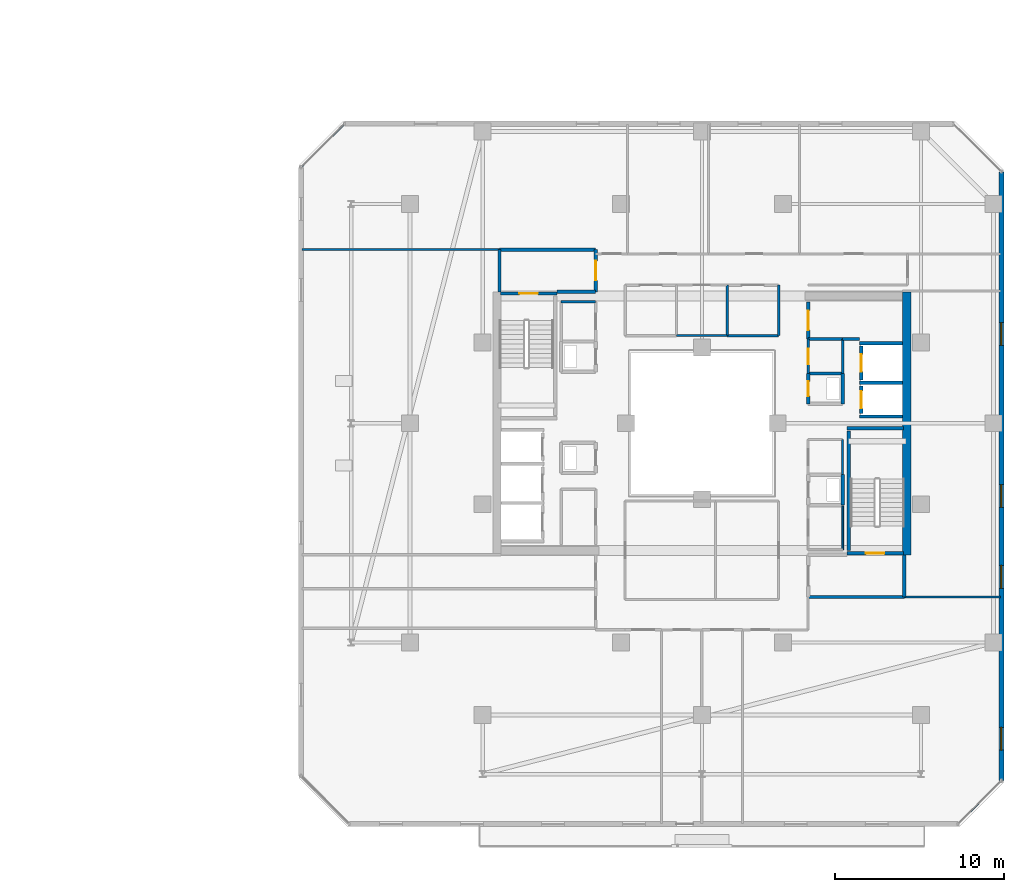
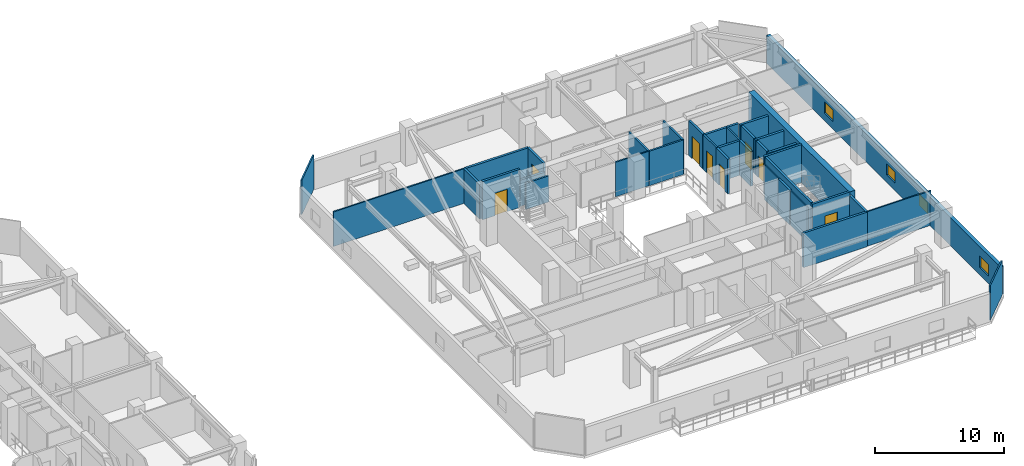
# One storey, part 25 of 33: 37 walls, 8 doors, 4 windows, 12 openings.
"""IFC4 building model written with IfcOpenShell, lengths in metres."""

from ifc_helpers import new_model, si_unit, direction, frame, frame_2d, origin, place, context, subcontext, project, spatial, rectangle, extrude, material, layer, layer_set, type_object, element, fill, save


model = new_model("IFC4")

# Units and contexts
model_context = context("Model", 3, precision=1e-05, world=origin(), true_north=direction((0.0, 1.0)))
body_context = subcontext(model_context, "Body", "Model", "MODEL_VIEW")
ifc_project = project(units=[si_unit("LENGTHUNIT", "METRE"), si_unit("AREAUNIT", "SQUARE_METRE"), si_unit("VOLUMEUNIT", "CUBIC_METRE"), si_unit("PLANEANGLEUNIT", "RADIAN"), si_unit("MASSUNIT", "GRAM", prefix="KILO")], contexts=[model_context])

# Site, building, storey
site_placement = place(None, origin())
site = spatial("IfcSite", under=ifc_project, at=site_placement, CompositionType="ELEMENT")
building_placement = place(site_placement, origin())
building = spatial("IfcBuilding", under=site, at=building_placement, Name="Thornwick Lancets Civic Towers", CompositionType="ELEMENT")
storey_placement = place(building_placement, frame((0.0, 0.0, 218.10009765625)))
storey = spatial("IfcBuildingStorey", under=building, at=storey_placement, Name="L58", CompositionType="ELEMENT", Elevation=218.10009765625)

# Wall, opening, door
ifc_material_1 = material(Name="Concrete blockwork C40/50", Category="masonry")
ifc_layer_1 = layer(ifc_material_1, 0.199951171875, Name="Concrete blockwork C40/50")
ifc_layer_set_1 = layer_set([ifc_layer_1], Name="Concrete blockwork C40/50")
wall_type_1 = type_object("IfcWallType", Name="WALL_COMP_200", PredefinedType="STANDARD", material=ifc_layer_set_1)
wall_1_placement = place(storey_placement, frame((97.949951171875, 29.219970703125, 0.0), z_axis=(0.0, 0.0, 1.0), x_axis=(0.0, -1.0, 0.0)))
wall_1 = element("IfcWall", 1, at=wall_1_placement, inside=storey, type_object=wall_type_1, Name="L58 Hoistway Front Wall FL-B1", PredefinedType="STANDARD", context=body_context, shape_type="SweptSolid", body=[
    extrude(rectangle(XDim=1.639892578125, YDim=0.199951171875, at=frame_2d((0.81982421875, 0.0))), origin(), (0.0, 0.0, 1.0), 3.260009765625),
])
opening_1_placement = place(wall_1_placement, frame((0.31005859375, 0.0, 0.0)))
opening_1 = element("IfcOpeningElement", 2, at=opening_1_placement, cuts=wall_1, Name="Opening LD-FL-B1", PredefinedType="OPENING", context=body_context, shape_type="SweptSolid", body=[
    extrude(rectangle(XDim=1.02001953125, YDim=2.06005859375, at=frame_2d((0.510009765625, 1.030029296875))), frame((0.0, 0.10986328125, 0.0), z_axis=(0.0, -1.0, 0.0), x_axis=(1.0, 0.0, 0.0)), (0.0, 0.0, 1.0), 0.219970703125),
])
ifc_material_2 = material(Name="Brushed bronze stainless steel", Category="steel")
door_type_1 = type_object("IfcDoorType", Name="DOOR_LIFT_SLIDE", OperationType="SLIDING_TO_LEFT", PredefinedType="DOOR", material=ifc_material_2)
door_1_placement = place(opening_1_placement, origin())
door_1 = element("IfcDoor", 3, at=door_1_placement, inside=storey, type_object=door_type_1, Name="L58 Sliding Lift Landing Door LD-FL-B1", OperationType="SLIDING_TO_LEFT", OverallHeight=2.06005859375, OverallWidth=1.02001953125, PredefinedType="DOOR", context=body_context, shape_type="SweptSolid", body=[
    extrude(rectangle(XDim=1.02001953125, YDim=2.06005859375, at=frame_2d((0.510009765625, 1.030029296875))), frame((0.0, 0.02490234375, 0.0), z_axis=(0.0, -1.0, 0.0), x_axis=(1.0, 0.0, 0.0)), (0.0, 0.0, 1.0), 0.050048828125),
])
fill(opening_1, door_1)

wall_2_placement = place(storey_placement, frame((97.949951171875, 31.570068359375, 0.0), z_axis=(0.0, 0.0, 1.0), x_axis=(0.0, -1.0, 0.0)))
wall_2 = element("IfcWall", 4, at=wall_2_placement, inside=storey, type_object=wall_type_1, Name="L58 Hoistway Front Wall PL-BH1", PredefinedType="STANDARD", context=body_context, shape_type="SweptSolid", body=[
    extrude(rectangle(XDim=1.989990234375, YDim=0.199951171875, at=frame_2d((0.9951171875, 0.0))), origin(), (0.0, 0.0, 1.0), 3.260009765625),
])
opening_2_placement = place(wall_2_placement, frame((0.485107421875, 0.0, 0.0)))
opening_2 = element("IfcOpeningElement", 5, at=opening_2_placement, cuts=wall_2, Name="Opening LD-PL-BH1", PredefinedType="OPENING", context=body_context, shape_type="SweptSolid", body=[
    extrude(rectangle(XDim=1.02001953125, YDim=2.06005859375, at=frame_2d((0.510009765625, 1.030029296875))), frame((0.0, 0.10986328125, 0.0), z_axis=(0.0, -1.0, 0.0), x_axis=(1.0, 0.0, 0.0)), (0.0, 0.0, 1.0), 0.219970703125),
])
door_2_placement = place(opening_2_placement, origin())
door_2 = element("IfcDoor", 6, at=door_2_placement, inside=storey, type_object=door_type_1, Name="L58 Sliding Lift Landing Door LD-PL-BH1", OperationType="SLIDING_TO_LEFT", OverallHeight=2.06005859375, OverallWidth=1.02001953125, PredefinedType="DOOR", context=body_context, shape_type="SweptSolid", body=[
    extrude(rectangle(XDim=1.02001953125, YDim=2.06005859375, at=frame_2d((0.510009765625, 1.030029296875))), frame((0.0, 0.02490234375, 0.0), z_axis=(0.0, -1.0, 0.0), x_axis=(1.0, 0.0, 0.0)), (0.0, 0.0, 1.0), 0.050048828125),
])
fill(opening_2, door_2)

# Walls
for number, where, z_axis, x_axis, name in (
    (7, (97.85205078125, 29.39990234375, 0.0), (0.0, 0.0, 1.0), (1.0, 0.0, 0.0), "L58 Hoistway Shaft Wall FL-B1 N"),
    (8, (97.85205078125, 27.39990234375, 0.0), (0.0, 0.0, 1.0), (1.0, 0.0, 0.0), "L58 Hoistway Shaft Wall FL-B1 S"),
    (9, (97.85205078125, 31.75, 0.0), (0.0, 0.0, 1.0), (1.0, 0.0, 0.0), "L58 Hoistway Shaft Wall PL-BH1 N"),
):
    element("IfcWall", number, at=place(storey_placement, frame(where, z_axis=z_axis, x_axis=x_axis)), inside=storey, type_object=wall_type_1, Name=name, PredefinedType="STANDARD", context=body_context, shape_type="SweptSolid", body=[
        extrude(rectangle(XDim=2.535888671875, YDim=0.199951171875, at=frame_2d((1.26806640625, 0.0))), origin(), (0.0, 0.0, 1.0), 3.260009765625),
    ])
wall_3_placement = place(storey_placement, frame((94.800048828125, 16.699951171875, 0.0), z_axis=(0.0, 0.0, 1.0), x_axis=(1.0, 0.0, 0.0)))
element("IfcWall", 10, at=wall_3_placement, inside=storey, type_object=wall_type_1, Name="L58 Partition L58-B-FFLOB1 E1", PredefinedType="STANDARD", context=body_context, shape_type="SweptSolid", body=[
    extrude(rectangle(XDim=5.699951171875, YDim=0.199951171875, at=frame_2d((2.85009765625, 0.0))), origin(), (0.0, 0.0, 1.0), 3.260009765625),
])
wall_4_placement = place(storey_placement, frame((100.5, 16.699951171875, 0.0), z_axis=(0.0, 0.0, 1.0), x_axis=(0.0, 1.0, 0.0)))
element("IfcWall", 11, at=wall_4_placement, inside=storey, type_object=wall_type_1, Name="L58 Partition L58-B-FFLOB1 E2", PredefinedType="STANDARD", context=body_context, shape_type="SweptSolid", body=[
    extrude(rectangle(XDim=2.5, YDim=0.199951171875, at=frame_2d((1.25, 0.0))), origin(), (0.0, 0.0, 1.0), 3.260009765625),
])
wall_5_placement = place(storey_placement, frame((79.89990234375, 34.800048828125, 0.0), z_axis=(0.0, 0.0, 1.0), x_axis=(1.0, 0.0, 0.0)))
element("IfcWall", 12, at=wall_5_placement, inside=storey, type_object=wall_type_1, Name="L58 Partition L58-B-FFLOB2 E1", PredefinedType="STANDARD", context=body_context, shape_type="SweptSolid", body=[
    extrude(rectangle(XDim=2.300048828125, YDim=0.199951171875, at=frame_2d((1.14990234375, 0.0))), origin(), (0.0, 0.0, 1.0), 2.46484375),
])

# Wall, opening, door
wall_6_placement = place(storey_placement, frame((82.199951171875, 34.800048828125, 0.0), z_axis=(0.0, 0.0, 1.0), x_axis=(0.0, 1.0, 0.0)))
wall_6 = element("IfcWall", 13, at=wall_6_placement, inside=storey, type_object=wall_type_1, Name="L58 Partition L58-B-FFLOB2 E2", PredefinedType="STANDARD", context=body_context, shape_type="SweptSolid", body=[
    extrude(rectangle(XDim=2.5, YDim=0.199951171875, at=frame_2d((1.25, 0.0))), origin(), (0.0, 0.0, 1.0), 3.260009765625),
])
opening_3_placement = place(wall_6_placement, frame((0.675048828125, 0.0, 0.0)))
opening_3 = element("IfcOpeningElement", 14, at=opening_3_placement, cuts=wall_6, Name="Opening D-L58-2592", PredefinedType="OPENING", context=body_context, shape_type="SweptSolid", body=[
    extrude(rectangle(XDim=1.14990234375, YDim=2.10009765625, at=frame_2d((0.574951171875, 1.050048828125))), frame((0.0, 0.10986328125, 0.0), z_axis=(0.0, -1.0, 0.0), x_axis=(1.0, 0.0, 0.0)), (0.0, 0.0, 1.0), 0.219970703125),
])
ifc_material_3 = material(Name="Glazed fire-resisting steel", Category="steel")
door_type_2 = type_object("IfcDoorType", Name="DOOR_LOBBY_FD60", OperationType="NOTDEFINED", PredefinedType="DOOR", material=ifc_material_3)
door_3_placement = place(opening_3_placement, origin())
door_3 = element("IfcDoor", 15, at=door_3_placement, inside=storey, type_object=door_type_2, Name="L58 West Firefighting Lobby 2 Door", OperationType="SINGLE_SWING_LEFT", OverallHeight=2.10009765625, OverallWidth=1.14990234375, PredefinedType="DOOR", context=body_context, shape_type="SweptSolid", body=[
    extrude(rectangle(XDim=1.14990234375, YDim=2.10009765625, at=frame_2d((0.574951171875, 1.050048828125))), frame((0.0, 0.02490234375, 0.0), z_axis=(0.0, -1.0, 0.0), x_axis=(1.0, 0.0, 0.0)), (0.0, 0.0, 1.0), 0.050048828125),
])
fill(opening_3, door_3)

# Walls
wall_7_placement = place(storey_placement, frame((82.199951171875, 37.300048828125, 0.0), z_axis=(0.0, 0.0, 1.0), x_axis=(-1.0, 0.0, 0.0)))
element("IfcWall", 16, at=wall_7_placement, inside=storey, type_object=wall_type_1, Name="L58 Partition L58-B-FFLOB2 E3", PredefinedType="STANDARD", context=body_context, shape_type="SweptSolid", body=[
    extrude(rectangle(XDim=5.699951171875, YDim=0.199951171875, at=frame_2d((2.85009765625, 0.0))), origin(), (0.0, 0.0, 1.0), 3.260009765625),
])
wall_8_placement = place(storey_placement, frame((76.5, 37.300048828125, 0.0), z_axis=(0.0, 0.0, 1.0), x_axis=(0.0, -1.0, 0.0)))
element("IfcWall", 17, at=wall_8_placement, inside=storey, type_object=wall_type_1, Name="L58 Partition L58-B-FFLOB2 E4", PredefinedType="STANDARD", context=body_context, shape_type="SweptSolid", body=[
    extrude(rectangle(XDim=2.5, YDim=0.199951171875, at=frame_2d((1.25, 0.0))), origin(), (0.0, 0.0, 1.0), 3.260009765625),
])
wall_9_placement = place(storey_placement, frame((96.85009765625, 28.14990234375, 0.0), z_axis=(0.0, 0.0, 1.0), x_axis=(0.0, 1.0, 0.0)))
element("IfcWall", 18, at=wall_9_placement, inside=storey, type_object=wall_type_1, Name="L58 Partition L58-B-DUCT1 E2", PredefinedType="STANDARD", context=body_context, shape_type="SweptSolid", body=[
    extrude(rectangle(XDim=1.800048828125, YDim=0.199951171875, at=frame_2d((0.89990234375, 0.0))), origin(), (0.0, 0.0, 1.0), 3.260009765625),
])
wall_10_placement = place(storey_placement, frame((96.85009765625, 29.949951171875, 0.0), z_axis=(0.0, 0.0, 1.0), x_axis=(-1.0, 0.0, 0.0)))
element("IfcWall", 19, at=wall_10_placement, inside=storey, type_object=wall_type_1, Name="L58 Partition L58-B-DUCT1 E3", PredefinedType="STANDARD", context=body_context, shape_type="SweptSolid", body=[
    extrude(rectangle(XDim=2.050048828125, YDim=0.199951171875, at=frame_2d((1.02490234375, 0.0))), origin(), (0.0, 0.0, 1.0), 3.260009765625),
])

# Wall, opening, door
wall_11_placement = place(storey_placement, frame((94.800048828125, 29.949951171875, 0.0), z_axis=(0.0, 0.0, 1.0), x_axis=(0.0, -1.0, 0.0)))
wall_11 = element("IfcWall", 20, at=wall_11_placement, inside=storey, type_object=wall_type_1, Name="L58 Partition L58-B-DUCT1 E4", PredefinedType="STANDARD", context=body_context, shape_type="SweptSolid", body=[
    extrude(rectangle(XDim=1.800048828125, YDim=0.199951171875, at=frame_2d((0.89990234375, 0.0))), origin(), (0.0, 0.0, 1.0), 3.260009765625),
])
opening_4_placement = place(wall_11_placement, frame((0.4599609375, 0.0, 0.0)))
opening_4 = element("IfcOpeningElement", 21, at=opening_4_placement, cuts=wall_11, Name="Opening D-L58-2593", PredefinedType="OPENING", context=body_context, shape_type="SweptSolid", body=[
    extrude(rectangle(XDim=0.8798828125, YDim=2.0400390625, at=frame_2d((0.43994140625, 1.02001953125))), frame((0.0, 0.10986328125, 0.0), z_axis=(0.0, -1.0, 0.0), x_axis=(1.0, 0.0, 0.0)), (0.0, 0.0, 1.0), 0.219970703125),
])
ifc_material_4 = material(Name="Steel riser access doorset", Category="steel")
door_type_3 = type_object("IfcDoorType", Name="DOOR_RISER_850", OperationType="NOTDEFINED", PredefinedType="DOOR", material=ifc_material_4)
door_4_placement = place(opening_4_placement, origin())
door_4 = element("IfcDoor", 22, at=door_4_placement, inside=storey, type_object=door_type_3, Name="L58 East Service Duct 1 Door", OperationType="SINGLE_SWING_RIGHT", OverallHeight=2.0400390625, OverallWidth=0.8798828125, PredefinedType="DOOR", context=body_context, shape_type="SweptSolid", body=[
    extrude(rectangle(XDim=0.8798828125, YDim=2.0400390625, at=frame_2d((0.43994140625, 1.02001953125))), frame((0.0, 0.02490234375, 0.0), z_axis=(0.0, -1.0, 0.0), x_axis=(1.0, 0.0, 0.0)), (0.0, 0.0, 1.0), 0.050048828125),
])
fill(opening_4, door_4)

# Wall
wall_12_placement = place(storey_placement, frame((96.85009765625, 22.14990234375, 0.0), z_axis=(0.0, 0.0, 1.0), x_axis=(0.0, 1.0, 0.0)))
element("IfcWall", 23, at=wall_12_placement, inside=storey, type_object=wall_type_1, Name="L58 Partition L58-B-RISER1 E2", PredefinedType="STANDARD", context=body_context, shape_type="SweptSolid", body=[
    extrude(rectangle(XDim=1.800048828125, YDim=0.199951171875, at=frame_2d((0.89990234375, 0.0))), origin(), (0.0, 0.0, 1.0), 3.260009765625),
])

# Wall, opening, door
wall_13_placement = place(storey_placement, frame((94.800048828125, 32.0, 0.0), z_axis=(0.0, 0.0, 1.0), x_axis=(0.0, 1.0, 0.0)))
wall_13 = element("IfcWall", 24, at=wall_13_placement, inside=storey, type_object=wall_type_1, Name="L58 Partition L58-B-STR2 E1", PredefinedType="STANDARD", context=body_context, shape_type="SweptSolid", body=[
    extrude(rectangle(XDim=2.199951171875, YDim=0.199951171875, at=frame_2d((1.10009765625, 0.0))), origin(), (0.0, 0.0, 1.0), 3.260009765625),
])
opening_5_placement = place(wall_13_placement, frame((0.52490234375, 0.0, 0.0)))
opening_5 = element("IfcOpeningElement", 25, at=opening_5_placement, cuts=wall_13, Name="Opening D-L58-2600", PredefinedType="OPENING", context=body_context, shape_type="SweptSolid", body=[
    extrude(rectangle(XDim=1.14990234375, YDim=2.10009765625, at=frame_2d((0.574951171875, 1.050048828125))), frame((0.0, 0.10986328125, 0.0), z_axis=(0.0, -1.0, 0.0), x_axis=(1.0, 0.0, 0.0)), (0.0, 0.0, 1.0), 0.219970703125),
])
door_5_placement = place(opening_5_placement, origin())
door_5 = element("IfcDoor", 26, at=door_5_placement, inside=storey, type_object=door_type_2, Name="L58 Tower B Core Supplies Store Door", OperationType="SINGLE_SWING_LEFT", OverallHeight=2.10009765625, OverallWidth=1.14990234375, PredefinedType="DOOR", context=body_context, shape_type="SweptSolid", body=[
    extrude(rectangle(XDim=1.14990234375, YDim=2.10009765625, at=frame_2d((0.574951171875, 1.050048828125))), frame((0.0, 0.02490234375, 0.0), z_axis=(0.0, -1.0, 0.0), x_axis=(1.0, 0.0, 0.0)), (0.0, 0.0, 1.0), 0.050048828125),
])
fill(opening_5, door_5)

# Walls
wall_14_placement = place(storey_placement, frame((97.85205078125, 32.0, 0.0), z_axis=(0.0, 0.0, 1.0), x_axis=(-1.0, 0.0, 0.0)))
element("IfcWall", 27, at=wall_14_placement, inside=storey, type_object=wall_type_1, Name="L58 Partition L58-B-STR2 E4", PredefinedType="STANDARD", context=body_context, shape_type="SweptSolid", body=[
    extrude(rectangle(XDim=1.001953125, YDim=0.199951171875, at=frame_2d((0.5009765625, 0.0))), origin(), (0.0, 0.0, 1.0), 3.260009765625),
])
wall_15_placement = place(storey_placement, frame((96.85009765625, 32.0, 0.0), z_axis=(0.0, 0.0, 1.0), x_axis=(-1.0, 0.0, 0.0)))
element("IfcWall", 28, at=wall_15_placement, inside=storey, type_object=wall_type_1, Name="L58 Partition L58-B-STR2 E5", PredefinedType="STANDARD", context=body_context, shape_type="SweptSolid", body=[
    extrude(rectangle(XDim=2.050048828125, YDim=0.199951171875, at=frame_2d((1.02490234375, 0.0))), origin(), (0.0, 0.0, 1.0), 3.260009765625),
])
ifc_material_5 = material(Name="Concrete C50/60", Category="concrete")
ifc_layer_2 = layer(ifc_material_5, 0.5, Name="Concrete C50/60")
ifc_layer_set_2 = layer_set([ifc_layer_2], Name="Concrete C50/60")
wall_type_2 = type_object("IfcWallType", Name="WALL_CORE_500", PredefinedType="SHEAR", material=ifc_layer_set_2)
wall_16_placement = place(storey_placement, frame((100.64990234375, 19.199951171875, 0.0), z_axis=(0.0, 0.0, 1.0), x_axis=(0.0, 1.0, 0.0)))
element("IfcWall", 29, at=wall_16_placement, inside=storey, type_object=wall_type_2, Name="L58 Split Core B1 Shear Wall E", PredefinedType="SHEAR", context=body_context, shape_type="SweptSolid", body=[
    extrude(rectangle(XDim=15.60009765625, YDim=0.5, at=frame_2d((7.800048828125, 0.0))), origin(), (0.0, 0.0, 1.0), 3.599853515625),
])

# Wall, openings, windows
ifc_material_6 = material(Name="Insulated russet terracotta rainscreen on concrete C40/50", Category="masonry")
ifc_layer_3 = layer(ifc_material_6, 0.300048828125, Name="Insulated russet terracotta rainscreen on concrete C40/50")
ifc_layer_set_3 = layer_set([ifc_layer_3], Name="Insulated russet terracotta rainscreen on concrete C40/50")
wall_type_3 = type_object("IfcWallType", Name="WALL_EXT_RUSSET_300", PredefinedType="STANDARD", material=ifc_layer_set_3)
wall_17_placement = place(storey_placement, frame((106.2646484375, 5.818603515625, 0.0), z_axis=(0.0, 0.0, 1.0), x_axis=(-2.7061402e-05, 0.999999999634, 0.0)))
wall_17 = element("IfcWall", 30, at=wall_17_placement, inside=storey, type_object=wall_type_3, Name="L58 Tower B Terracotta Facade Wall E2", PredefinedType="STANDARD", context=body_context, shape_type="SweptSolid", body=[
    extrude(rectangle(XDim=36.0869140625, YDim=0.300048828125, at=frame_2d((18.04345703125, 0.0))), origin(), (0.0, 0.0, 1.0), 2.659912109375),
])
opening_6_placement = place(wall_17_placement, frame((1.800048828125, 0.0, 0.719970703125)))
opening_6 = element("IfcOpeningElement", 31, at=opening_6_placement, cuts=wall_17, Name="Opening WL-03", PredefinedType="OPENING", context=body_context, shape_type="SweptSolid", body=[
    extrude(rectangle(XDim=1.35009765625, YDim=1.050048828125, at=frame_2d((0.675048828125, 0.52490234375))), frame((0.0, 0.16015625, 0.0), z_axis=(0.0, -1.0, 0.0), x_axis=(1.0, 0.0, 0.0)), (0.0, 0.0, 1.0), 0.320068359375),
])
opening_7_placement = place(wall_17_placement, frame((11.39990234375, 0.0, 0.719970703125)))
opening_7 = element("IfcOpeningElement", 32, at=opening_7_placement, cuts=wall_17, Name="Opening WL-03", PredefinedType="OPENING", context=body_context, shape_type="SweptSolid", body=[
    extrude(rectangle(XDim=1.35009765625, YDim=1.050048828125, at=frame_2d((0.675048828125, 0.52490234375))), frame((0.0, 0.16015625, 0.0), z_axis=(0.0, -1.0, 0.0), x_axis=(1.0, 0.0, 0.0)), (0.0, 0.0, 1.0), 0.320068359375),
])
opening_8_placement = place(wall_17_placement, frame((16.199951171875, 0.0, 0.719970703125)))
opening_8 = element("IfcOpeningElement", 33, at=opening_8_placement, cuts=wall_17, Name="Opening WL-03", PredefinedType="OPENING", context=body_context, shape_type="SweptSolid", body=[
    extrude(rectangle(XDim=1.35009765625, YDim=1.050048828125, at=frame_2d((0.675048828125, 0.52490234375))), frame((0.0, 0.16015625, 0.0), z_axis=(0.0, -1.0, 0.0), x_axis=(1.0, 0.0, 0.0)), (0.0, 0.0, 1.0), 0.320068359375),
])
opening_9_placement = place(wall_17_placement, frame((25.800048828125, 0.0, 0.719970703125)))
opening_9 = element("IfcOpeningElement", 34, at=opening_9_placement, cuts=wall_17, Name="Opening WL-03", PredefinedType="OPENING", context=body_context, shape_type="SweptSolid", body=[
    extrude(rectangle(XDim=1.35009765625, YDim=1.050048828125, at=frame_2d((0.675048828125, 0.52490234375))), frame((0.0, 0.16015625, 0.0), z_axis=(0.0, -1.0, 0.0), x_axis=(1.0, 0.0, 0.0)), (0.0, 0.0, 1.0), 0.320068359375),
])
ifc_material_7 = material(Name="Clear low-e double glazing clerestory lancet", Category="glass")
window_type = type_object("IfcWindowType", Name="WIN_LANCET_1350", PartitioningType="SINGLE_PANEL", PredefinedType="WINDOW", material=ifc_material_7)
window_1_placement = place(opening_6_placement, origin())
window_1 = element("IfcWindow", 35, at=window_1_placement, inside=storey, type_object=window_type, Name="L58 Tower B Staggered Lancet Window E2-1", OverallHeight=1.050048828125, OverallWidth=1.35009765625, PartitioningType="SINGLE_PANEL", PredefinedType="WINDOW", context=body_context, shape_type="SweptSolid", body=[
    extrude(rectangle(XDim=1.35009765625, YDim=1.050048828125, at=frame_2d((0.675048828125, 0.52490234375))), frame((0.0, 0.030029296875, 0.0), z_axis=(0.0, -1.0, 0.0), x_axis=(1.0, 0.0, 0.0)), (0.0, 0.0, 1.0), 0.06005859375),
])
fill(opening_6, window_1)
window_2_placement = place(opening_7_placement, origin())
window_2 = element("IfcWindow", 36, at=window_2_placement, inside=storey, type_object=window_type, Name="L58 Tower B Staggered Lancet Window E2-2", OverallHeight=1.050048828125, OverallWidth=1.35009765625, PartitioningType="SINGLE_PANEL", PredefinedType="WINDOW", context=body_context, shape_type="SweptSolid", body=[
    extrude(rectangle(XDim=1.35009765625, YDim=1.050048828125, at=frame_2d((0.675048828125, 0.52490234375))), frame((0.0, 0.030029296875, 0.0), z_axis=(0.0, -1.0, 0.0), x_axis=(1.0, 0.0, 0.0)), (0.0, 0.0, 1.0), 0.06005859375),
])
fill(opening_7, window_2)
window_3_placement = place(opening_8_placement, origin())
window_3 = element("IfcWindow", 37, at=window_3_placement, inside=storey, type_object=window_type, Name="L58 Tower B Staggered Lancet Window E2-3", OverallHeight=1.050048828125, OverallWidth=1.35009765625, PartitioningType="SINGLE_PANEL", PredefinedType="WINDOW", context=body_context, shape_type="SweptSolid", body=[
    extrude(rectangle(XDim=1.35009765625, YDim=1.050048828125, at=frame_2d((0.675048828125, 0.52490234375))), frame((0.0, 0.030029296875, 0.0), z_axis=(0.0, -1.0, 0.0), x_axis=(1.0, 0.0, 0.0)), (0.0, 0.0, 1.0), 0.06005859375),
])
fill(opening_8, window_3)
window_4_placement = place(opening_9_placement, origin())
window_4 = element("IfcWindow", 38, at=window_4_placement, inside=storey, type_object=window_type, Name="L58 Tower B Staggered Lancet Window E2-4", OverallHeight=1.050048828125, OverallWidth=1.35009765625, PartitioningType="SINGLE_PANEL", PredefinedType="WINDOW", context=body_context, shape_type="SweptSolid", body=[
    extrude(rectangle(XDim=1.35009765625, YDim=1.050048828125, at=frame_2d((0.675048828125, 0.52490234375))), frame((0.0, 0.030029296875, 0.0), z_axis=(0.0, -1.0, 0.0), x_axis=(1.0, 0.0, 0.0)), (0.0, 0.0, 1.0), 0.06005859375),
])
fill(opening_9, window_4)

# Walls
ifc_material_8 = material(Name="Lightweight cellular office partition")
ifc_layer_4 = layer(ifc_material_8, 0.10009765625, Name="Lightweight cellular office partition")
ifc_layer_set_4 = layer_set([ifc_layer_4], Name="Lightweight cellular office partition")
wall_type_4 = type_object("IfcWallType", Name="WALL_PART_100", PredefinedType="PARTITIONING", material=ifc_layer_set_4)
wall_18_placement = place(storey_placement, frame((96.85009765625, 19.5, 0.0), z_axis=(0.0, 0.0, 1.0), x_axis=(0.0, 1.0, 0.0)))
element("IfcWall", 39, at=wall_18_placement, inside=storey, type_object=wall_type_4, Name="L58 Partition L58-B-CLN E2", PredefinedType="PARTITIONING", context=body_context, shape_type="SweptSolid", body=[
    extrude(rectangle(XDim=2.60009765625, YDim=0.10009765625, at=frame_2d((1.300048828125, 0.0))), origin(), (0.0, 0.0, 1.0), 3.260009765625),
])
ifc_material_9 = material(Name="Acoustic gypsum board partition")
ifc_layer_5 = layer(ifc_material_9, 0.1201171875, Name="Acoustic gypsum board partition")
ifc_layer_set_5 = layer_set([ifc_layer_5], Name="Acoustic gypsum board partition")
wall_type_5 = type_object("IfcWallType", Name="WALL_PART_120", PredefinedType="PARTITIONING", material=ifc_layer_set_5)
wall_19_placement = place(storey_placement, frame((96.85009765625, 26.050048828125, 0.0), z_axis=(0.0, 0.0, 1.0), x_axis=(0.0, -1.0, 0.0)))
element("IfcWall", 40, at=wall_19_placement, inside=storey, type_object=wall_type_5, Name="L58 Partition L58-B-ITR E3", PredefinedType="PARTITIONING", context=body_context, shape_type="SweptSolid", body=[
    extrude(rectangle(XDim=2.10009765625, YDim=0.1201171875, at=frame_2d((1.050048828125, 0.0))), origin(), (0.0, 0.0, 1.0), 3.260009765625),
])
wall_20_placement = place(storey_placement, frame((100.5, 16.699951171875, 0.0), z_axis=(0.0, 0.0, 1.0), x_axis=(1.0, 0.0, 0.0)))
element("IfcWall", 41, at=wall_20_placement, inside=storey, type_object=wall_type_5, Name="L58 Partition L58-B-W1 E7", PredefinedType="PARTITIONING", context=body_context, shape_type="SweptSolid", body=[
    extrude(rectangle(XDim=5.719970703125, YDim=0.1201171875, at=frame_2d((2.85986328125, 0.0))), origin(), (0.0, 0.0, 1.0), 3.260009765625),
])
wall_21_placement = place(storey_placement, frame((106.219970703125, 5.774658203125, 0.0), z_axis=(0.0, 0.0, 1.0), x_axis=(-0.707106781187, -0.707106781187, 0.0)))
element("IfcWall", 42, at=wall_21_placement, inside=storey, type_object=wall_type_5, Name="L58 Partition L58-B-W1 E9", PredefinedType="PARTITIONING", context=body_context, shape_type="SweptSolid", body=[
    extrude(rectangle(XDim=3.52783203125, YDim=0.1201171875, at=frame_2d((1.763916015625, 0.0))), origin(), (0.0, 0.0, 1.0), 3.260009765625),
])
wall_22_placement = place(storey_placement, frame((76.5, 37.300048828125, 0.0), z_axis=(0.0, 0.0, 1.0), x_axis=(-1.0, 0.0, 0.0)))
element("IfcWall", 43, at=wall_22_placement, inside=storey, type_object=wall_type_5, Name="L58 Partition L58-B-E4 E3", PredefinedType="PARTITIONING", context=body_context, shape_type="SweptSolid", body=[
    extrude(rectangle(XDim=11.719970703125, YDim=0.1201171875, at=frame_2d((5.85986328125, 0.0))), origin(), (0.0, 0.0, 1.0), 3.260009765625),
])
wall_23_placement = place(storey_placement, frame((64.780029296875, 42.225341796875, 0.0), z_axis=(0.0, 0.0, 1.0), x_axis=(0.707106781187, 0.707106781187, 0.0)))
element("IfcWall", 44, at=wall_23_placement, inside=storey, type_object=wall_type_5, Name="L58 Partition L58-B-E4 E5", PredefinedType="PARTITIONING", context=body_context, shape_type="SweptSolid", body=[
    extrude(rectangle(XDim=3.52783203125, YDim=0.1201171875, at=frame_2d((1.763916015625, 0.0))), origin(), (0.0, 0.0, 1.0), 3.260009765625),
])
wall_24_placement = place(storey_placement, frame((90.0, 32.199951171875, 0.0), z_axis=(0.0, 0.0, 1.0), x_axis=(-1.0, 0.0, 0.0)))
element("IfcWall", 45, at=wall_24_placement, inside=storey, type_object=wall_type_5, Name="L58 Partition L58-B-E-ATR-2 E4", PredefinedType="PARTITIONING", context=body_context, shape_type="SweptSolid", body=[
    extrude(rectangle(XDim=3.0, YDim=0.1201171875, at=frame_2d((1.5, 0.0))), origin(), (0.0, 0.0, 1.0), 3.260009765625),
])

# Wall, opening, door
ifc_material_10 = material(Name="Twin-stud acoustic gypsum board")
ifc_layer_6 = layer(ifc_material_10, 0.14990234375, Name="Twin-stud acoustic gypsum board")
ifc_layer_set_6 = layer_set([ifc_layer_6], Name="Twin-stud acoustic gypsum board")
wall_type_6 = type_object("IfcWallType", Name="WALL_PART_150", PredefinedType="PARTITIONING", material=ifc_layer_set_6)
wall_25_placement = place(storey_placement, frame((94.800048828125, 29.949951171875, 0.0), z_axis=(0.0, 0.0, 1.0), x_axis=(0.0, 1.0, 0.0)))
wall_25 = element("IfcWall", 46, at=wall_25_placement, inside=storey, type_object=wall_type_6, Name="L58 Partition L58-B-AWC E1", PredefinedType="PARTITIONING", context=body_context, shape_type="SweptSolid", body=[
    extrude(rectangle(XDim=2.050048828125, YDim=0.14990234375, at=frame_2d((1.02490234375, 0.0))), origin(), (0.0, 0.0, 1.0), 3.260009765625),
])
opening_10_placement = place(wall_25_placement, frame((0.56494140625, 0.0, 0.0)))
opening_10 = element("IfcOpeningElement", 47, at=opening_10_placement, cuts=wall_25, Name="Opening D-L58-2599", PredefinedType="OPENING", context=body_context, shape_type="SweptSolid", body=[
    extrude(rectangle(XDim=0.919921875, YDim=2.080078125, at=frame_2d((0.4599609375, 1.0400390625))), frame((0.0, 0.0849609375, 0.0), z_axis=(0.0, -1.0, 0.0), x_axis=(1.0, 0.0, 0.0)), (0.0, 0.0, 1.0), 0.169921875),
])
ifc_material_11 = material(Name="Moisture-resistant oak doorset")
door_type_4 = type_object("IfcDoorType", Name="DOOR_WC_900", OperationType="NOTDEFINED", PredefinedType="DOOR", material=ifc_material_11)
door_6_placement = place(opening_10_placement, origin())
door_6 = element("IfcDoor", 48, at=door_6_placement, inside=storey, type_object=door_type_4, Name="L58 Tower B Accessible WC Door", OperationType="SINGLE_SWING_RIGHT", OverallHeight=2.080078125, OverallWidth=0.919921875, PredefinedType="DOOR", context=body_context, shape_type="SweptSolid", body=[
    extrude(rectangle(XDim=0.919921875, YDim=2.080078125, at=frame_2d((0.4599609375, 1.0400390625))), frame((0.0, 0.02490234375, 0.0), z_axis=(0.0, -1.0, 0.0), x_axis=(1.0, 0.0, 0.0)), (0.0, 0.0, 1.0), 0.050048828125),
])
fill(opening_10, door_6)

# Walls
wall_26_placement = place(storey_placement, frame((96.85009765625, 32.0, 0.0), z_axis=(0.0, 0.0, 1.0), x_axis=(0.0, -1.0, 0.0)))
element("IfcWall", 49, at=wall_26_placement, inside=storey, type_object=wall_type_6, Name="L58 Partition L58-B-AWC E3", PredefinedType="PARTITIONING", context=body_context, shape_type="SweptSolid", body=[
    extrude(rectangle(XDim=2.050048828125, YDim=0.14990234375, at=frame_2d((1.02490234375, 0.0))), origin(), (0.0, 0.0, 1.0), 3.260009765625),
])
wall_27_placement = place(storey_placement, frame((80.14990234375, 34.199951171875, 0.0), z_axis=(0.0, 0.0, 1.0), x_axis=(1.0, 0.0, 0.0)))
element("IfcWall", 50, at=wall_27_placement, inside=storey, type_object=wall_type_6, Name="L58 Partition L58-B-FWC E2", PredefinedType="PARTITIONING", context=body_context, shape_type="SweptSolid", body=[
    extrude(rectangle(XDim=2.050048828125, YDim=0.14990234375, at=frame_2d((1.02490234375, 0.0))), origin(), (0.0, 0.0, 1.0), 2.46484375),
])
for number, where, z_axis, x_axis, name in (
    (51, (90.0, 32.199951171875, 0.0), (0.0, 0.0, 1.0), (0.0, 1.0, 0.0), "L58 Partition L58-B-E-ATR-1 E1"),
    (52, (93.050048828125, 35.199951171875, 0.0), (0.0, 0.0, 1.0), (0.0, -1.0, 0.0), "L58 Partition L58-B-E-ATR-1 E3"),
):
    element("IfcWall", number, at=place(storey_placement, frame(where, z_axis=z_axis, x_axis=x_axis)), inside=storey, type_object=wall_type_6, Name=name, PredefinedType="PARTITIONING", context=body_context, shape_type="SweptSolid", body=[
        extrude(rectangle(XDim=3.0, YDim=0.14990234375, at=frame_2d((1.5, 0.0))), origin(), (0.0, 0.0, 1.0), 3.260009765625),
    ])
wall_28_placement = place(storey_placement, frame((93.050048828125, 32.199951171875, 0.0), z_axis=(0.0, 0.0, 1.0), x_axis=(-1.0, 0.0, 0.0)))
element("IfcWall", 53, at=wall_28_placement, inside=storey, type_object=wall_type_6, Name="L58 Partition L58-B-E-ATR-1 E4", PredefinedType="PARTITIONING", context=body_context, shape_type="SweptSolid", body=[
    extrude(rectangle(XDim=3.050048828125, YDim=0.14990234375, at=frame_2d((1.52490234375, 0.0))), origin(), (0.0, 0.0, 1.0), 3.260009765625),
])

# Wall, opening, door
ifc_material_12 = material(Name="Concrete C40/50", Category="concrete")
ifc_layer_7 = layer(ifc_material_12, 0.199951171875, Name="Concrete C40/50")
ifc_layer_set_7 = layer_set([ifc_layer_7], Name="Concrete C40/50")
wall_type_7 = type_object("IfcWallType", Name="WALL_SHAFT_200", PredefinedType="SHEAR", material=ifc_layer_set_7)
wall_29_placement = place(storey_placement, frame((100.449951171875, 19.300048828125, 0.0), z_axis=(0.0, 0.0, 1.0), x_axis=(-1.0, 0.0, 0.0)))
wall_29 = element("IfcWall", 54, at=wall_29_placement, inside=storey, type_object=wall_type_7, Name="L58 ST-B1 Fire Stair Core Wall NEAR", PredefinedType="SHEAR", context=body_context, shape_type="SweptSolid", body=[
    extrude(rectangle(XDim=3.349853515625, YDim=0.199951171875, at=frame_2d((1.6748046875, 0.0))), origin(), (0.0, 0.0, 1.0), 3.599853515625),
])
opening_11_placement = place(wall_29_placement, frame((1.125, 0.0, 0.0)))
opening_11 = element("IfcOpeningElement", 55, at=opening_11_placement, cuts=wall_29, Name="Opening D-ST-B1-L58", PredefinedType="OPENING", context=body_context, shape_type="SweptSolid", body=[
    extrude(rectangle(XDim=1.10009765625, YDim=2.10009765625, at=frame_2d((0.550048828125, 1.050048828125))), frame((0.0, 0.10986328125, 0.0), z_axis=(0.0, -1.0, 0.0), x_axis=(1.0, 0.0, 0.0)), (0.0, 0.0, 1.0), 0.219970703125),
])
ifc_material_13 = material(Name="Fire-resisting steel and hardwood", Category="steel")
door_type_5 = type_object("IfcDoorType", Name="DOOR_STAIR_FD60", OperationType="NOTDEFINED", PredefinedType="DOOR", material=ifc_material_13)
door_7_placement = place(opening_11_placement, origin())
door_7 = element("IfcDoor", 56, at=door_7_placement, inside=storey, type_object=door_type_5, Name="L58 ST-B1 Exit Stair Door", OperationType="SINGLE_SWING_RIGHT", OverallHeight=2.10009765625, OverallWidth=1.10009765625, PredefinedType="DOOR", context=body_context, shape_type="SweptSolid", body=[
    extrude(rectangle(XDim=1.10009765625, YDim=2.10009765625, at=frame_2d((0.550048828125, 1.050048828125))), frame((0.0, 0.02490234375, 0.0), z_axis=(0.0, -1.0, 0.0), x_axis=(1.0, 0.0, 0.0)), (0.0, 0.0, 1.0), 0.050048828125),
])
fill(opening_11, door_7)

# Walls
wall_30_placement = place(storey_placement, frame((97.10009765625, 26.699951171875, 0.0), z_axis=(0.0, 0.0, 1.0), x_axis=(1.0, 0.0, 0.0)))
element("IfcWall", 57, at=wall_30_placement, inside=storey, type_object=wall_type_7, Name="L58 ST-B1 Fire Stair Core Wall FAR", PredefinedType="SHEAR", context=body_context, shape_type="SweptSolid", body=[
    extrude(rectangle(XDim=3.349853515625, YDim=0.199951171875, at=frame_2d((1.6748046875, 0.0))), origin(), (0.0, 0.0, 1.0), 3.599853515625),
])
wall_31_placement = place(storey_placement, frame((97.202880859375, 26.550048828125, 0.0), z_axis=(0.0, 0.0, 1.0), x_axis=(0.0, -1.0, 0.0)))
element("IfcWall", 58, at=wall_31_placement, inside=storey, type_object=wall_type_7, Name="L58 ST-B1 Fire Stair Core Wall RIGHT", PredefinedType="SHEAR", context=body_context, shape_type="SweptSolid", body=[
    extrude(rectangle(XDim=7.10009765625, YDim=0.199951171875, at=frame_2d((3.550048828125, 0.0))), origin(), (0.0, 0.0, 1.0), 3.599853515625),
])

# Wall, opening, door
wall_32_placement = place(storey_placement, frame((76.550048828125, 34.699951171875, 0.0), z_axis=(0.0, 0.0, 1.0), x_axis=(1.0, 0.0, 0.0)))
wall_32 = element("IfcWall", 59, at=wall_32_placement, inside=storey, type_object=wall_type_7, Name="L58 ST-B2 Fire Stair Core Wall NEAR", PredefinedType="SHEAR", context=body_context, shape_type="SweptSolid", body=[
    extrude(rectangle(XDim=3.349853515625, YDim=0.199951171875, at=frame_2d((1.6748046875, 0.0))), origin(), (0.0, 0.0, 1.0), 3.599853515625),
])
opening_12_placement = place(wall_32_placement, frame((1.125, 0.0, 0.0)))
opening_12 = element("IfcOpeningElement", 60, at=opening_12_placement, cuts=wall_32, Name="Opening D-ST-B2-L58", PredefinedType="OPENING", context=body_context, shape_type="SweptSolid", body=[
    extrude(rectangle(XDim=1.10009765625, YDim=2.10009765625, at=frame_2d((0.550048828125, 1.050048828125))), frame((0.0, 0.10986328125, 0.0), z_axis=(0.0, -1.0, 0.0), x_axis=(1.0, 0.0, 0.0)), (0.0, 0.0, 1.0), 0.219970703125),
])
door_8_placement = place(opening_12_placement, origin())
door_8 = element("IfcDoor", 61, at=door_8_placement, inside=storey, type_object=door_type_5, Name="L58 ST-B2 Exit Stair Door", OperationType="SINGLE_SWING_LEFT", OverallHeight=2.10009765625, OverallWidth=1.10009765625, PredefinedType="DOOR", context=body_context, shape_type="SweptSolid", body=[
    extrude(rectangle(XDim=1.10009765625, YDim=2.10009765625, at=frame_2d((0.550048828125, 1.050048828125))), frame((0.0, 0.02490234375, 0.0), z_axis=(0.0, -1.0, 0.0), x_axis=(1.0, 0.0, 0.0)), (0.0, 0.0, 1.0), 0.050048828125),
])
fill(opening_12, door_8)

save(model, "model.ifc")
